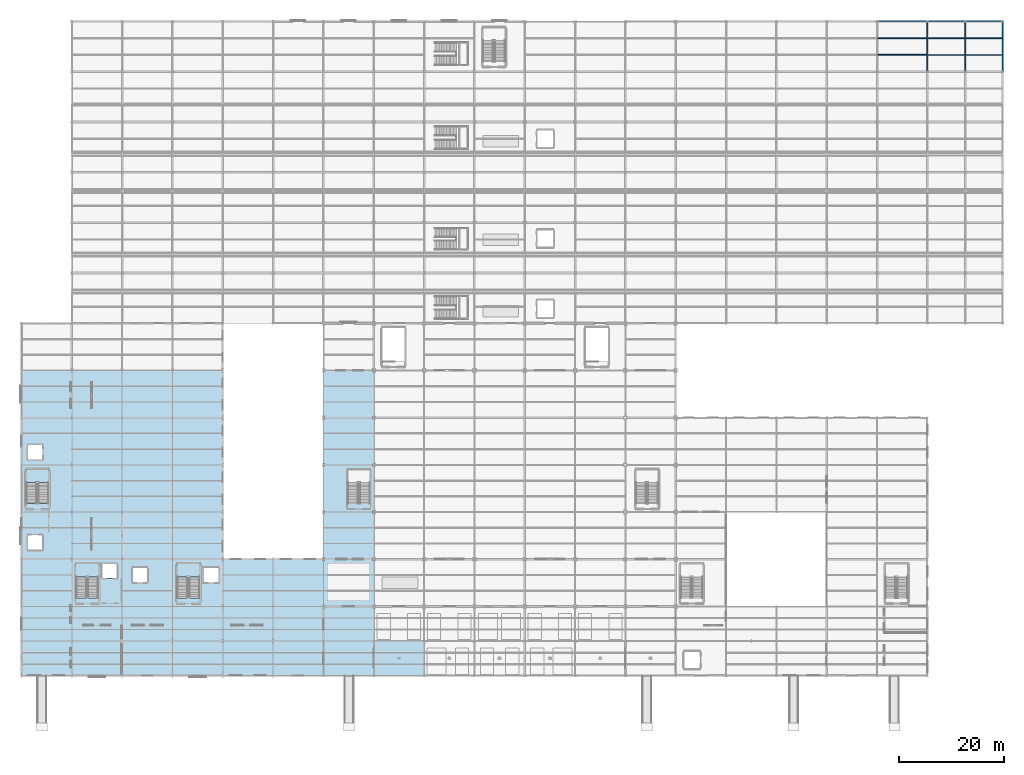
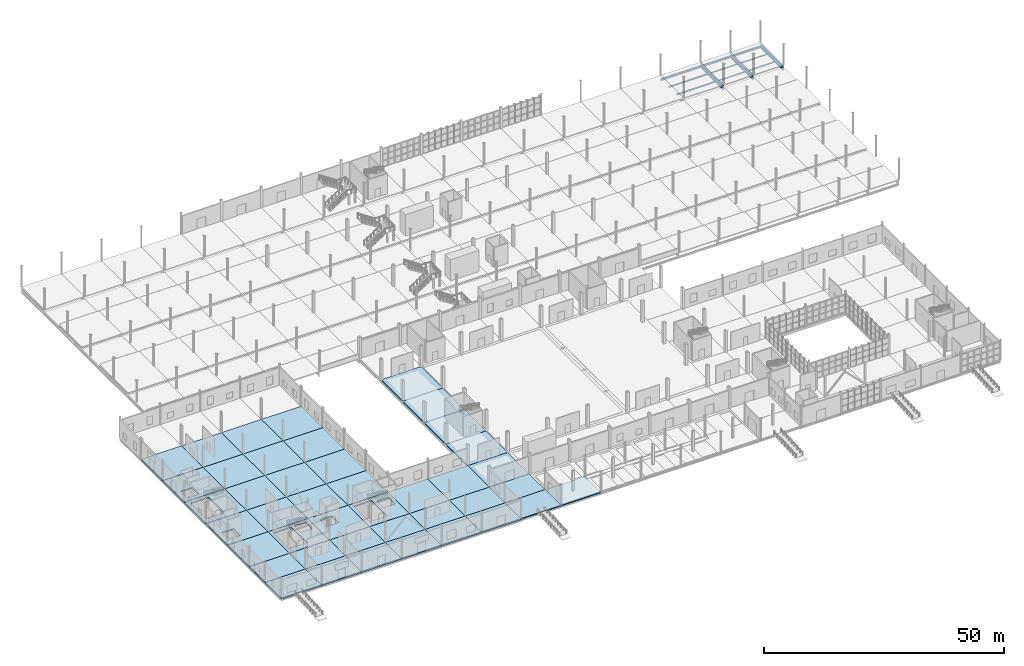
# One storey, part 47 of 85: 45 slabs, 15 beams, 3 elements without a shape of their own.
"""IFC4 building model written with IfcOpenShell, lengths in metres."""

from ifc_helpers import new_model, si_unit, direction, frame, origin, origin_2d, place, context, subcontext, project, spatial, polyline, i_section, outline, extrude, material, layer, layer_set, material_profile, profile_set, type_object, element, aggregate, save


model = new_model("IFC4")

# Units and contexts
model_context = context("Model", 3, precision=1e-05, world=origin(), true_north=direction((0.0, 1.0)))
body_context = subcontext(model_context, "Body", "Model", "MODEL_VIEW")
ifc_project = project(units=[si_unit("LENGTHUNIT", "METRE"), si_unit("AREAUNIT", "SQUARE_METRE"), si_unit("VOLUMEUNIT", "CUBIC_METRE"), si_unit("PLANEANGLEUNIT", "RADIAN"), si_unit("MASSUNIT", "GRAM", prefix="KILO")], contexts=[model_context])

# Site, building, storey
site_placement = place(None, origin())
site = spatial("IfcSite", under=ifc_project, at=site_placement, CompositionType="ELEMENT")
building_placement = place(site_placement, origin())
building = spatial("IfcBuilding", under=site, at=building_placement, Name="Zarnetskaya Central Station", CompositionType="ELEMENT")
storey_placement = place(building_placement, origin())
storey = spatial("IfcBuildingStorey", under=building, at=storey_placement, Name="L00", CompositionType="ELEMENT", Elevation=0.0)

# Beams
ifc_material_1 = material(Name="Steel S355", Category="steel")
ifc_material_profile_1 = material_profile(ifc_material_1, i_section(OverallWidth=0.14990234375, OverallDepth=0.300048828125, WebThickness=0.007080078125, FlangeThickness=0.0107421875, FilletRadius=0.014892578125, at=origin_2d()), Name="IPE 300")
ifc_profile_set_1 = profile_set([ifc_material_profile_1], Name="Steel S355")
beam_type_1 = type_object("IfcBeamType", Name="BM-SEC-300", PredefinedType="BEAM", material=ifc_profile_set_1)
for number, where, z_axis, x_axis, name in (
    (1, (172.8798828125, 118.39990234375, -1.06005859375), (1.0, 0.0, 0.0), (0.0, 1.0, 0.0), "Secondary floor beam SEC-L00-Z91-UV-1415-1"),
    (2, (172.8798828125, 121.60009765625, -1.06005859375), (1.0, 0.0, 0.0), (0.0, 1.0, 0.0), "Secondary floor beam SEC-L00-Z91-UV-1415-2"),
    (3, (180.080078125, 118.39990234375, -1.06005859375), (1.0, 0.0, 0.0), (0.0, 1.0, 0.0), "Secondary floor beam SEC-L00-Z91-VW-1415-1"),
    (4, (180.080078125, 121.60009765625, -1.06005859375), (1.0, 0.0, 0.0), (0.0, 1.0, 0.0), "Secondary floor beam SEC-L00-Z91-VW-1415-2"),
):
    element("IfcBeam", number, at=place(storey_placement, frame(where, z_axis=z_axis, x_axis=x_axis)), inside=storey, type_object=beam_type_1, Name=name, PredefinedType="BEAM", context=body_context, shape_type="SweptSolid", body=[
        extrude(i_section(OverallWidth=0.14990234375, OverallDepth=0.300048828125, WebThickness=0.007080078125, FlangeThickness=0.0107421875, FilletRadius=0.014892578125, at=origin_2d()), origin(), (0.0, 0.0, 1.0), 7.0400390625),
    ])
ifc_material_profile_2 = material_profile(ifc_material_1, i_section(OverallWidth=0.159912109375, OverallDepth=0.330078125, WebThickness=0.007568359375, FlangeThickness=0.011474609375, FilletRadius=0.01806640625, at=origin_2d()), Name="IPE 330")
ifc_profile_set_2 = profile_set([ifc_material_profile_2], Name="Steel S355")
beam_type_2 = type_object("IfcBeamType", Name="BM-SEC-330", PredefinedType="BEAM", material=ifc_profile_set_2)
for number, where, z_axis, x_axis, name in (
    (5, (172.800048828125, 115.199951171875, -0.455078125), (0.0, 1.0, 0.0), (-1.0, 0.0, 0.0), "Platform transverse bearer GY-PLT-P4-U"),
    (6, (180.0, 115.199951171875, -0.455078125), (0.0, 1.0, 0.0), (-1.0, 0.0, 0.0), "Platform transverse bearer GY-PLT-P4-V"),
    (7, (187.199951171875, 115.199951171875, -0.455078125), (0.0, 1.0, 0.0), (-1.0, 0.0, 0.0), "Platform transverse bearer GY-PLT-P4-W"),
):
    element("IfcBeam", number, at=place(storey_placement, frame(where, z_axis=z_axis, x_axis=x_axis)), inside=storey, type_object=beam_type_2, Name=name, PredefinedType="BEAM", context=body_context, shape_type="SweptSolid", body=[
        extrude(i_section(OverallWidth=0.159912109375, OverallDepth=0.330078125, WebThickness=0.007568359375, FlangeThickness=0.011474609375, FilletRadius=0.01806640625, at=origin_2d()), origin(), (0.0, 0.0, 1.0), 9.60009765625),
    ])
ifc_material_profile_3 = material_profile(ifc_material_1, i_section(OverallWidth=0.169921875, OverallDepth=0.360107421875, WebThickness=0.008056640625, FlangeThickness=0.0126953125, FilletRadius=0.01806640625, at=origin_2d()), Name="IPE 360")
ifc_profile_set_3 = profile_set([ifc_material_profile_3], Name="Steel S355")
beam_type_3 = type_object("IfcBeamType", Name="BM-SEC-360", PredefinedType="BEAM", material=ifc_profile_set_3)
for number, where, z_axis, x_axis, name in (
    (8, (163.280029296875, 118.39990234375, -1.090087890625), (1.0, 0.0, 0.0), (0.0, 1.0, 0.0), "Secondary floor beam SEC-L00-Z91-TU-1415-1"),
    (9, (163.280029296875, 121.60009765625, -1.090087890625), (1.0, 0.0, 0.0), (0.0, 1.0, 0.0), "Secondary floor beam SEC-L00-Z91-TU-1415-2"),
):
    element("IfcBeam", number, at=place(storey_placement, frame(where, z_axis=z_axis, x_axis=x_axis)), inside=storey, type_object=beam_type_3, Name=name, PredefinedType="BEAM", context=body_context, shape_type="SweptSolid", body=[
        extrude(i_section(OverallWidth=0.169921875, OverallDepth=0.360107421875, WebThickness=0.008056640625, FlangeThickness=0.0126953125, FilletRadius=0.01806640625, at=origin_2d()), origin(), (0.0, 0.0, 1.0), 9.43994140625),
    ])
ifc_material_profile_4 = material_profile(ifc_material_1, i_section(OverallWidth=0.300048828125, OverallDepth=0.449951171875, WebThickness=0.013916015625, FlangeThickness=0.02587890625, FilletRadius=0.027099609375, at=origin_2d()), Name="HEB 450")
ifc_profile_set_4 = profile_set([ifc_material_profile_4], Name="Steel S355")
beam_type_4 = type_object("IfcBeamType", Name="GD-SUB-450", PredefinedType="USERDEFINED", material=ifc_profile_set_4)
for number, where, z_axis, x_axis, name in (
    (10, (172.800048828125, 115.199951171875, -1.135009765625), (0.0, 1.0, 0.0), (-1.0, 0.0, 0.0), "Grid girder GY-L00-U-1415"),
    (11, (180.0, 115.199951171875, -1.135009765625), (0.0, 1.0, 0.0), (-1.0, 0.0, 0.0), "Grid girder GY-L00-V-1415"),
    (12, (187.199951171875, 115.199951171875, -1.135009765625), (0.0, 1.0, 0.0), (-1.0, 0.0, 0.0), "Grid girder GY-L00-W-1415"),
):
    element("IfcBeam", number, at=place(storey_placement, frame(where, z_axis=z_axis, x_axis=x_axis)), inside=storey, type_object=beam_type_4, Name=name, ObjectType="GIRDER", PredefinedType="USERDEFINED", context=body_context, shape_type="SweptSolid", body=[
        extrude(i_section(OverallWidth=0.300048828125, OverallDepth=0.449951171875, WebThickness=0.013916015625, FlangeThickness=0.02587890625, FilletRadius=0.027099609375, at=origin_2d()), origin(), (0.0, 0.0, 1.0), 9.60009765625),
    ])
ifc_material_profile_5 = material_profile(ifc_material_1, i_section(OverallWidth=0.300048828125, OverallDepth=0.5, WebThickness=0.014404296875, FlangeThickness=0.028076171875, FilletRadius=0.027099609375, at=origin_2d()), Name="HEB 500")
ifc_profile_set_5 = profile_set([ifc_material_profile_5], Name="Steel S355")
beam_type_5 = type_object("IfcBeamType", Name="GD-SUB-500", PredefinedType="USERDEFINED", material=ifc_profile_set_5)
beam_placement = place(storey_placement, frame((163.199951171875, 124.800048828125, -1.159912109375), z_axis=(1.0, 0.0, 0.0), x_axis=(0.0, 1.0, 0.0)))
element("IfcBeam", 13, at=beam_placement, inside=storey, type_object=beam_type_5, Name="Grid girder GX-L00-15-TU", ObjectType="GIRDER", PredefinedType="USERDEFINED", context=body_context, shape_type="SweptSolid", body=[
    extrude(i_section(OverallWidth=0.300048828125, OverallDepth=0.5, WebThickness=0.014404296875, FlangeThickness=0.028076171875, FilletRadius=0.027099609375, at=origin_2d()), origin(), (0.0, 0.0, 1.0), 9.60009765625),
])
for number, where, z_axis, x_axis, name in (
    (14, (172.800048828125, 124.800048828125, -1.159912109375), (1.0, 0.0, 0.0), (0.0, 1.0, 0.0), "Grid girder GX-L00-15-UV"),
    (15, (180.0, 124.800048828125, -1.159912109375), (1.0, 0.0, 0.0), (0.0, 1.0, 0.0), "Grid girder GX-L00-15-VW"),
):
    element("IfcBeam", number, at=place(storey_placement, frame(where, z_axis=z_axis, x_axis=x_axis)), inside=storey, type_object=beam_type_5, Name=name, ObjectType="GIRDER", PredefinedType="USERDEFINED", context=body_context, shape_type="SweptSolid", body=[
        extrude(i_section(OverallWidth=0.300048828125, OverallDepth=0.5, WebThickness=0.014404296875, FlangeThickness=0.028076171875, FilletRadius=0.027099609375, at=origin_2d()), origin(), (0.0, 0.0, 1.0), 7.199951171875),
    ])

# Slabs
ifc_material_2 = material(Name="Concrete C30/37", Category="concrete")
ifc_layer_1 = layer(ifc_material_2, 0.320068359375, Name="Concrete C30/37", Category="concrete")
ifc_layer_set_1 = layer_set([ifc_layer_1], Name="Concrete C30/37")
slab_type_1 = type_object("IfcSlabType", Name="SLAB-L00-320", PredefinedType="FLOOR", material=ifc_layer_set_1)
slab_1_placement = place(storey_placement, frame((0.0, 0.0, -0.320068359375)))
element("IfcSlab", 16, at=slab_1_placement, inside=storey, type_object=slab_type_1, Name="L00 slab A-B/1-2", PredefinedType="FLOOR", context=body_context, shape_type="SweptSolid", body=[
    extrude(outline(polyline([(0.0, 0.0), (9.60009765625, 0.0), (9.60009765625, 6.60009765625), (0.0, 6.60009765625), (0.0, 0.0)])), origin(), (0.0, 0.0, 1.0), 0.320068359375),
])
slab_2_placement = place(storey_placement, frame((0.0, 0.0, -0.320068359375)))
element("IfcSlab", 17, at=slab_2_placement, inside=storey, type_object=slab_type_1, Name="L00 slab A-B/2-3", PredefinedType="FLOOR", context=body_context, shape_type="SweptSolid", body=[
    extrude(outline(polyline([(0.0, 6.60009765625), (9.60009765625, 6.60009765625), (9.60009765625, 13.199951171875), (0.0, 13.199951171875), (0.0, 6.60009765625)])), origin(), (0.0, 0.0, 1.0), 0.320068359375),
])
slab_3_placement = place(storey_placement, frame((0.0, 0.0, -0.320068359375)))
element("IfcSlab", 18, at=slab_3_placement, inside=storey, type_object=slab_type_1, Name="L00 slab A-B/3-4", PredefinedType="FLOOR", context=body_context, shape_type="SweptSolid", body=[
    extrude(outline(polyline([(0.0, 13.199951171875), (9.60009765625, 13.199951171875), (9.60009765625, 22.199951171875), (0.0, 22.199951171875), (0.0, 13.199951171875)])), origin(), (0.0, 0.0, 1.0), 0.320068359375),
])
slab_4_placement = place(storey_placement, frame((0.0, 0.0, -0.320068359375)))
element("IfcSlab", 19, at=slab_4_placement, inside=storey, type_object=slab_type_1, Name="L00 slab A-B/4-5", PredefinedType="FLOOR", context=body_context, shape_type="SweptSolid", body=[
    extrude(outline(polyline([(0.0, 22.199951171875), (9.60009765625, 22.199951171875), (9.60009765625, 31.199951171875), (0.0, 31.199951171875), (0.0, 22.199951171875)]), holes=[polyline([(1.199951171875, 24.0), (4.0, 24.0), (4.0, 26.800048828125), (1.199951171875, 26.800048828125), (1.199951171875, 24.0)])]), origin(), (0.0, 0.0, 1.0), 0.320068359375),
])
slab_5_placement = place(storey_placement, frame((0.0, 0.0, -0.320068359375)))
element("IfcSlab", 20, at=slab_5_placement, inside=storey, type_object=slab_type_1, Name="L00 slab A-B/5-6", PredefinedType="FLOOR", context=body_context, shape_type="SweptSolid", body=[
    extrude(outline(polyline([(0.0, 31.199951171875), (9.60009765625, 31.199951171875), (9.60009765625, 40.199951171875), (0.0, 40.199951171875), (0.0, 31.199951171875)]), holes=[polyline([(0.89990234375, 32.804931640625), (5.199951171875, 32.804931640625), (5.199951171875, 39.300048828125), (0.89990234375, 39.300048828125), (0.89990234375, 32.804931640625)])]), origin(), (0.0, 0.0, 1.0), 0.320068359375),
])
slab_6_placement = place(storey_placement, frame((0.0, 0.0, -0.320068359375)))
element("IfcSlab", 21, at=slab_6_placement, inside=storey, type_object=slab_type_1, Name="L00 slab A-B/6-7", PredefinedType="FLOOR", context=body_context, shape_type="SweptSolid", body=[
    extrude(outline(polyline([(0.0, 40.199951171875), (9.60009765625, 40.199951171875), (9.60009765625, 49.199951171875), (0.0, 49.199951171875), (0.0, 40.199951171875)]), holes=[polyline([(1.199951171875, 41.199951171875), (4.0, 41.199951171875), (4.0, 44.0), (1.199951171875, 44.0), (1.199951171875, 41.199951171875)])]), origin(), (0.0, 0.0, 1.0), 0.320068359375),
])
slab_7_placement = place(storey_placement, frame((0.0, 0.0, -0.320068359375)))
element("IfcSlab", 22, at=slab_7_placement, inside=storey, type_object=slab_type_1, Name="L00 slab A-B/7-8", PredefinedType="FLOOR", context=body_context, shape_type="SweptSolid", body=[
    extrude(outline(polyline([(0.0, 49.199951171875), (9.60009765625, 49.199951171875), (9.60009765625, 58.199951171875), (0.0, 58.199951171875), (0.0, 49.199951171875)])), origin(), (0.0, 0.0, 1.0), 0.320068359375),
])
slab_8_placement = place(storey_placement, frame((0.0, 0.0, -0.320068359375)))
element("IfcSlab", 23, at=slab_8_placement, inside=storey, type_object=slab_type_1, Name="L00 slab B-C/1-2", PredefinedType="FLOOR", context=body_context, shape_type="SweptSolid", body=[
    extrude(outline(polyline([(9.60009765625, 0.0), (19.199951171875, 0.0), (19.199951171875, 6.60009765625), (9.60009765625, 6.60009765625), (9.60009765625, 0.0)])), origin(), (0.0, 0.0, 1.0), 0.320068359375),
])
slab_9_placement = place(storey_placement, frame((0.0, 0.0, -0.320068359375)))
element("IfcSlab", 24, at=slab_9_placement, inside=storey, type_object=slab_type_1, Name="L00 slab B-C/2-3", PredefinedType="FLOOR", context=body_context, shape_type="SweptSolid", body=[
    extrude(outline(polyline([(9.60009765625, 6.60009765625), (19.199951171875, 6.60009765625), (19.199951171875, 13.199951171875), (9.60009765625, 13.199951171875), (9.60009765625, 6.60009765625)])), origin(), (0.0, 0.0, 1.0), 0.320068359375),
])
slab_10_placement = place(storey_placement, frame((0.0, 0.0, -0.320068359375)))
element("IfcSlab", 25, at=slab_10_placement, inside=storey, type_object=slab_type_1, Name="L00 slab B-C/3-4", PredefinedType="FLOOR", context=body_context, shape_type="SweptSolid", body=[
    extrude(outline(polyline([(9.60009765625, 13.199951171875), (19.199951171875, 13.199951171875), (19.199951171875, 22.199951171875), (9.60009765625, 22.199951171875), (9.60009765625, 13.199951171875)]), holes=[polyline([(10.39990234375, 14.804931640625), (14.699951171875, 14.804931640625), (14.699951171875, 21.300048828125), (10.39990234375, 21.300048828125), (10.39990234375, 14.804931640625)]), polyline([(15.39990234375, 18.60009765625), (18.199951171875, 18.60009765625), (18.199951171875, 21.300048828125), (15.39990234375, 21.300048828125), (15.39990234375, 18.60009765625)])]), origin(), (0.0, 0.0, 1.0), 0.320068359375),
])
slab_11_placement = place(storey_placement, frame((0.0, 0.0, -0.320068359375)))
element("IfcSlab", 26, at=slab_11_placement, inside=storey, type_object=slab_type_1, Name="L00 slab B-C/4-5", PredefinedType="FLOOR", context=body_context, shape_type="SweptSolid", body=[
    extrude(outline(polyline([(9.60009765625, 22.199951171875), (19.199951171875, 22.199951171875), (19.199951171875, 31.199951171875), (9.60009765625, 31.199951171875), (9.60009765625, 22.199951171875)])), origin(), (0.0, 0.0, 1.0), 0.320068359375),
])
slab_12_placement = place(storey_placement, frame((0.0, 0.0, -0.320068359375)))
element("IfcSlab", 27, at=slab_12_placement, inside=storey, type_object=slab_type_1, Name="L00 slab B-C/5-6", PredefinedType="FLOOR", context=body_context, shape_type="SweptSolid", body=[
    extrude(outline(polyline([(9.60009765625, 31.199951171875), (19.199951171875, 31.199951171875), (19.199951171875, 40.199951171875), (9.60009765625, 40.199951171875), (9.60009765625, 31.199951171875)])), origin(), (0.0, 0.0, 1.0), 0.320068359375),
])
slab_13_placement = place(storey_placement, frame((0.0, 0.0, -0.320068359375)))
element("IfcSlab", 28, at=slab_13_placement, inside=storey, type_object=slab_type_1, Name="L00 slab B-C/6-7", PredefinedType="FLOOR", context=body_context, shape_type="SweptSolid", body=[
    extrude(outline(polyline([(9.60009765625, 40.199951171875), (19.199951171875, 40.199951171875), (19.199951171875, 49.199951171875), (9.60009765625, 49.199951171875), (9.60009765625, 40.199951171875)])), origin(), (0.0, 0.0, 1.0), 0.320068359375),
])
slab_14_placement = place(storey_placement, frame((0.0, 0.0, -0.320068359375)))
element("IfcSlab", 29, at=slab_14_placement, inside=storey, type_object=slab_type_1, Name="L00 slab B-C/7-8", PredefinedType="FLOOR", context=body_context, shape_type="SweptSolid", body=[
    extrude(outline(polyline([(9.60009765625, 49.199951171875), (19.199951171875, 49.199951171875), (19.199951171875, 58.199951171875), (9.60009765625, 58.199951171875), (9.60009765625, 49.199951171875)])), origin(), (0.0, 0.0, 1.0), 0.320068359375),
])
slab_15_placement = place(storey_placement, frame((0.0, 0.0, -0.320068359375)))
element("IfcSlab", 30, at=slab_15_placement, inside=storey, type_object=slab_type_1, Name="L00 slab C-D/1-2", PredefinedType="FLOOR", context=body_context, shape_type="SweptSolid", body=[
    extrude(outline(polyline([(19.199951171875, 0.0), (28.800048828125, 0.0), (28.800048828125, 6.60009765625), (19.199951171875, 6.60009765625), (19.199951171875, 0.0)])), origin(), (0.0, 0.0, 1.0), 0.320068359375),
])
slab_16_placement = place(storey_placement, frame((0.0, 0.0, -0.320068359375)))
element("IfcSlab", 31, at=slab_16_placement, inside=storey, type_object=slab_type_1, Name="L00 slab C-D/2-3", PredefinedType="FLOOR", context=body_context, shape_type="SweptSolid", body=[
    extrude(outline(polyline([(19.199951171875, 6.60009765625), (28.800048828125, 6.60009765625), (28.800048828125, 13.199951171875), (19.199951171875, 13.199951171875), (19.199951171875, 6.60009765625)])), origin(), (0.0, 0.0, 1.0), 0.320068359375),
])
slab_17_placement = place(storey_placement, frame((0.0, 0.0, -0.320068359375)))
element("IfcSlab", 32, at=slab_17_placement, inside=storey, type_object=slab_type_1, Name="L00 slab C-D/3-4", PredefinedType="FLOOR", context=body_context, shape_type="SweptSolid", body=[
    extrude(outline(polyline([(19.199951171875, 13.199951171875), (28.800048828125, 13.199951171875), (28.800048828125, 22.199951171875), (19.199951171875, 22.199951171875), (19.199951171875, 13.199951171875)]), holes=[polyline([(21.199951171875, 17.800048828125), (24.0, 17.800048828125), (24.0, 20.60009765625), (21.199951171875, 20.60009765625), (21.199951171875, 17.800048828125)])]), origin(), (0.0, 0.0, 1.0), 0.320068359375),
])
slab_18_placement = place(storey_placement, frame((0.0, 0.0, -0.320068359375)))
element("IfcSlab", 33, at=slab_18_placement, inside=storey, type_object=slab_type_1, Name="L00 slab C-D/4-5", PredefinedType="FLOOR", context=body_context, shape_type="SweptSolid", body=[
    extrude(outline(polyline([(19.199951171875, 22.199951171875), (28.800048828125, 22.199951171875), (28.800048828125, 31.199951171875), (19.199951171875, 31.199951171875), (19.199951171875, 22.199951171875)])), origin(), (0.0, 0.0, 1.0), 0.320068359375),
])
slab_19_placement = place(storey_placement, frame((0.0, 0.0, -0.320068359375)))
element("IfcSlab", 34, at=slab_19_placement, inside=storey, type_object=slab_type_1, Name="L00 slab C-D/5-6", PredefinedType="FLOOR", context=body_context, shape_type="SweptSolid", body=[
    extrude(outline(polyline([(19.199951171875, 31.199951171875), (28.800048828125, 31.199951171875), (28.800048828125, 40.199951171875), (19.199951171875, 40.199951171875), (19.199951171875, 31.199951171875)])), origin(), (0.0, 0.0, 1.0), 0.320068359375),
])
slab_20_placement = place(storey_placement, frame((0.0, 0.0, -0.320068359375)))
element("IfcSlab", 35, at=slab_20_placement, inside=storey, type_object=slab_type_1, Name="L00 slab C-D/6-7", PredefinedType="FLOOR", context=body_context, shape_type="SweptSolid", body=[
    extrude(outline(polyline([(19.199951171875, 40.199951171875), (28.800048828125, 40.199951171875), (28.800048828125, 49.199951171875), (19.199951171875, 49.199951171875), (19.199951171875, 40.199951171875)])), origin(), (0.0, 0.0, 1.0), 0.320068359375),
])
slab_21_placement = place(storey_placement, frame((0.0, 0.0, -0.320068359375)))
element("IfcSlab", 36, at=slab_21_placement, inside=storey, type_object=slab_type_1, Name="L00 slab C-D/7-8", PredefinedType="FLOOR", context=body_context, shape_type="SweptSolid", body=[
    extrude(outline(polyline([(19.199951171875, 49.199951171875), (28.800048828125, 49.199951171875), (28.800048828125, 58.199951171875), (19.199951171875, 58.199951171875), (19.199951171875, 49.199951171875)])), origin(), (0.0, 0.0, 1.0), 0.320068359375),
])
slab_22_placement = place(storey_placement, frame((0.0, 0.0, -0.320068359375)))
element("IfcSlab", 37, at=slab_22_placement, inside=storey, type_object=slab_type_1, Name="L00 slab D-E/1-2", PredefinedType="FLOOR", context=body_context, shape_type="SweptSolid", body=[
    extrude(outline(polyline([(28.800048828125, 0.0), (38.39990234375, 0.0), (38.39990234375, 6.60009765625), (28.800048828125, 6.60009765625), (28.800048828125, 0.0)])), origin(), (0.0, 0.0, 1.0), 0.320068359375),
])
slab_23_placement = place(storey_placement, frame((0.0, 0.0, -0.320068359375)))
element("IfcSlab", 38, at=slab_23_placement, inside=storey, type_object=slab_type_1, Name="L00 slab D-E/2-3", PredefinedType="FLOOR", context=body_context, shape_type="SweptSolid", body=[
    extrude(outline(polyline([(28.800048828125, 6.60009765625), (38.39990234375, 6.60009765625), (38.39990234375, 13.199951171875), (28.800048828125, 13.199951171875), (28.800048828125, 6.60009765625)])), origin(), (0.0, 0.0, 1.0), 0.320068359375),
])
slab_24_placement = place(storey_placement, frame((0.0, 0.0, -0.320068359375)))
element("IfcSlab", 39, at=slab_24_placement, inside=storey, type_object=slab_type_1, Name="L00 slab D-E/3-4", PredefinedType="FLOOR", context=body_context, shape_type="SweptSolid", body=[
    extrude(outline(polyline([(28.800048828125, 13.199951171875), (38.39990234375, 13.199951171875), (38.39990234375, 22.199951171875), (28.800048828125, 22.199951171875), (28.800048828125, 13.199951171875)]), holes=[polyline([(29.699951171875, 14.804931640625), (34.0, 14.804931640625), (34.0, 21.300048828125), (29.699951171875, 21.300048828125), (29.699951171875, 14.804931640625)]), polyline([(34.800048828125, 17.800048828125), (37.60009765625, 17.800048828125), (37.60009765625, 20.60009765625), (34.800048828125, 20.60009765625), (34.800048828125, 17.800048828125)])]), origin(), (0.0, 0.0, 1.0), 0.320068359375),
])
slab_25_placement = place(storey_placement, frame((0.0, 0.0, -0.320068359375)))
element("IfcSlab", 40, at=slab_25_placement, inside=storey, type_object=slab_type_1, Name="L00 slab D-E/4-5", PredefinedType="FLOOR", context=body_context, shape_type="SweptSolid", body=[
    extrude(outline(polyline([(28.800048828125, 22.199951171875), (38.39990234375, 22.199951171875), (38.39990234375, 31.199951171875), (28.800048828125, 31.199951171875), (28.800048828125, 22.199951171875)])), origin(), (0.0, 0.0, 1.0), 0.320068359375),
])
slab_26_placement = place(storey_placement, frame((0.0, 0.0, -0.320068359375)))
element("IfcSlab", 41, at=slab_26_placement, inside=storey, type_object=slab_type_1, Name="L00 slab D-E/5-6", PredefinedType="FLOOR", context=body_context, shape_type="SweptSolid", body=[
    extrude(outline(polyline([(28.800048828125, 31.199951171875), (38.39990234375, 31.199951171875), (38.39990234375, 40.199951171875), (28.800048828125, 40.199951171875), (28.800048828125, 31.199951171875)])), origin(), (0.0, 0.0, 1.0), 0.320068359375),
])
slab_27_placement = place(storey_placement, frame((0.0, 0.0, -0.320068359375)))
element("IfcSlab", 42, at=slab_27_placement, inside=storey, type_object=slab_type_1, Name="L00 slab D-E/6-7", PredefinedType="FLOOR", context=body_context, shape_type="SweptSolid", body=[
    extrude(outline(polyline([(28.800048828125, 40.199951171875), (38.39990234375, 40.199951171875), (38.39990234375, 49.199951171875), (28.800048828125, 49.199951171875), (28.800048828125, 40.199951171875)])), origin(), (0.0, 0.0, 1.0), 0.320068359375),
])
slab_28_placement = place(storey_placement, frame((0.0, 0.0, -0.320068359375)))
element("IfcSlab", 43, at=slab_28_placement, inside=storey, type_object=slab_type_1, Name="L00 slab D-E/7-8", PredefinedType="FLOOR", context=body_context, shape_type="SweptSolid", body=[
    extrude(outline(polyline([(28.800048828125, 49.199951171875), (38.39990234375, 49.199951171875), (38.39990234375, 58.199951171875), (28.800048828125, 58.199951171875), (28.800048828125, 49.199951171875)])), origin(), (0.0, 0.0, 1.0), 0.320068359375),
])
slab_29_placement = place(storey_placement, frame((0.0, 0.0, -0.320068359375)))
element("IfcSlab", 44, at=slab_29_placement, inside=storey, type_object=slab_type_1, Name="L00 slab E-F/1-2", PredefinedType="FLOOR", context=body_context, shape_type="SweptSolid", body=[
    extrude(outline(polyline([(38.39990234375, 0.0), (48.0, 0.0), (48.0, 6.60009765625), (38.39990234375, 6.60009765625), (38.39990234375, 0.0)])), origin(), (0.0, 0.0, 1.0), 0.320068359375),
])
slab_30_placement = place(storey_placement, frame((0.0, 0.0, -0.320068359375)))
element("IfcSlab", 45, at=slab_30_placement, inside=storey, type_object=slab_type_1, Name="L00 slab E-F/2-3", PredefinedType="FLOOR", context=body_context, shape_type="SweptSolid", body=[
    extrude(outline(polyline([(38.39990234375, 6.60009765625), (48.0, 6.60009765625), (48.0, 13.199951171875), (38.39990234375, 13.199951171875), (38.39990234375, 6.60009765625)])), origin(), (0.0, 0.0, 1.0), 0.320068359375),
])
slab_31_placement = place(storey_placement, frame((0.0, 0.0, -0.320068359375)))
element("IfcSlab", 46, at=slab_31_placement, inside=storey, type_object=slab_type_1, Name="L00 slab E-F/3-4", PredefinedType="FLOOR", context=body_context, shape_type="SweptSolid", body=[
    extrude(outline(polyline([(38.39990234375, 13.199951171875), (48.0, 13.199951171875), (48.0, 22.199951171875), (38.39990234375, 22.199951171875), (38.39990234375, 13.199951171875)])), origin(), (0.0, 0.0, 1.0), 0.320068359375),
])
slab_32_placement = place(storey_placement, frame((0.0, 0.0, -0.320068359375)))
element("IfcSlab", 47, at=slab_32_placement, inside=storey, type_object=slab_type_1, Name="L00 slab F-G/1-2", PredefinedType="FLOOR", context=body_context, shape_type="SweptSolid", body=[
    extrude(outline(polyline([(48.0, 0.0), (57.60009765625, 0.0), (57.60009765625, 6.60009765625), (48.0, 6.60009765625), (48.0, 0.0)])), origin(), (0.0, 0.0, 1.0), 0.320068359375),
])
slab_33_placement = place(storey_placement, frame((0.0, 0.0, -0.320068359375)))
element("IfcSlab", 48, at=slab_33_placement, inside=storey, type_object=slab_type_1, Name="L00 slab F-G/2-3", PredefinedType="FLOOR", context=body_context, shape_type="SweptSolid", body=[
    extrude(outline(polyline([(48.0, 6.60009765625), (57.60009765625, 6.60009765625), (57.60009765625, 13.199951171875), (48.0, 13.199951171875), (48.0, 6.60009765625)])), origin(), (0.0, 0.0, 1.0), 0.320068359375),
])
slab_34_placement = place(storey_placement, frame((0.0, 0.0, -0.320068359375)))
element("IfcSlab", 49, at=slab_34_placement, inside=storey, type_object=slab_type_1, Name="L00 slab F-G/3-4", PredefinedType="FLOOR", context=body_context, shape_type="SweptSolid", body=[
    extrude(outline(polyline([(48.0, 13.199951171875), (57.60009765625, 13.199951171875), (57.60009765625, 22.199951171875), (48.0, 22.199951171875), (48.0, 13.199951171875)])), origin(), (0.0, 0.0, 1.0), 0.320068359375),
])
slab_35_placement = place(storey_placement, frame((0.0, 0.0, -0.320068359375)))
element("IfcSlab", 50, at=slab_35_placement, inside=storey, type_object=slab_type_1, Name="L00 slab G-H/3-4", PredefinedType="FLOOR", context=body_context, shape_type="SweptSolid", body=[
    extrude(outline(polyline([(57.89990234375, 13.199951171875), (66.89990234375, 13.199951171875), (67.199951171875, 13.5), (67.199951171875, 21.89990234375), (66.89990234375, 22.199951171875), (57.89990234375, 22.199951171875), (57.60009765625, 21.89990234375), (57.60009765625, 13.5), (57.89990234375, 13.199951171875)])), origin(), (0.0, 0.0, 1.0), 0.320068359375),
])
slab_36_placement = place(storey_placement, frame((0.0, 0.0, -0.320068359375)))
element("IfcSlab", 51, at=slab_36_placement, inside=storey, type_object=slab_type_1, Name="L00 slab G-H/4-5", PredefinedType="FLOOR", context=body_context, shape_type="SweptSolid", body=[
    extrude(outline(polyline([(57.89990234375, 22.199951171875), (66.89990234375, 22.199951171875), (67.199951171875, 22.5), (67.199951171875, 30.89990234375), (66.89990234375, 31.199951171875), (57.89990234375, 31.199951171875), (57.60009765625, 30.89990234375), (57.60009765625, 22.5), (57.89990234375, 22.199951171875)])), origin(), (0.0, 0.0, 1.0), 0.320068359375),
])
slab_37_placement = place(storey_placement, frame((0.0, 0.0, -0.320068359375)))
element("IfcSlab", 52, at=slab_37_placement, inside=storey, type_object=slab_type_1, Name="L00 slab G-H/5-6", PredefinedType="FLOOR", context=body_context, shape_type="SweptSolid", body=[
    extrude(outline(polyline([(57.89990234375, 31.199951171875), (66.89990234375, 31.199951171875), (67.199951171875, 31.5), (67.199951171875, 39.89990234375), (66.89990234375, 40.199951171875), (57.89990234375, 40.199951171875), (57.60009765625, 39.89990234375), (57.60009765625, 31.5), (57.89990234375, 31.199951171875)])), origin(), (0.0, 0.0, 1.0), 0.320068359375),
])
slab_38_placement = place(storey_placement, frame((0.0, 0.0, -0.320068359375)))
element("IfcSlab", 53, at=slab_38_placement, inside=storey, type_object=slab_type_1, Name="L00 slab G-H/6-7", PredefinedType="FLOOR", context=body_context, shape_type="SweptSolid", body=[
    extrude(outline(polyline([(57.89990234375, 40.199951171875), (66.89990234375, 40.199951171875), (67.199951171875, 40.5), (67.199951171875, 48.89990234375), (66.89990234375, 49.199951171875), (57.89990234375, 49.199951171875), (57.60009765625, 48.89990234375), (57.60009765625, 40.5), (57.89990234375, 40.199951171875)])), origin(), (0.0, 0.0, 1.0), 0.320068359375),
])
slab_39_placement = place(storey_placement, frame((0.0, 0.0, -0.320068359375)))
element("IfcSlab", 54, at=slab_39_placement, inside=storey, type_object=slab_type_1, Name="L00 slab G-H/7-8", PredefinedType="FLOOR", context=body_context, shape_type="SweptSolid", body=[
    extrude(outline(polyline([(57.89990234375, 49.199951171875), (66.89990234375, 49.199951171875), (67.199951171875, 49.5), (67.199951171875, 57.89990234375), (66.89990234375, 58.199951171875), (57.89990234375, 58.199951171875), (57.60009765625, 57.89990234375), (57.60009765625, 49.5), (57.89990234375, 49.199951171875)])), origin(), (0.0, 0.0, 1.0), 0.320068359375),
])

# Stair, slab
stair_type_1 = type_object("IfcStairType", Name="STAIR-ASSY-01", PredefinedType="HALF_TURN_STAIR", material=ifc_material_2)
stair_1_placement = place(storey_placement, origin())
stair_1 = element("IfcStair", 55, at=stair_1_placement, inside=storey, type_object=stair_type_1, Name="Exit Stair ST-C1 L00", PredefinedType="HALF_TURN_STAIR")
ifc_layer_2 = layer(ifc_material_2, 0.18505859375, Name="Concrete C30/37", Category="concrete")
ifc_layer_set_2 = layer_set([ifc_layer_2], Name="Concrete C30/37")
slab_type_2 = type_object("IfcSlabType", Name="SLAB-STAIR-LND", PredefinedType="LANDING", material=ifc_layer_set_2)
slab_40_placement = place(storey_placement, frame((0.0, 0.0, 2.514892578125)))
slab_40 = element("IfcSlab", 56, at=slab_40_placement, type_object=slab_type_2, Name="ST-03 landing 1", PredefinedType="LANDING", context=body_context, shape_type="SweptSolid", body=[
    extrude(outline(polyline([(10.320068359375, 18.844970703125), (14.780029296875, 18.844970703125), (14.780029296875, 21.3798828125), (10.320068359375, 21.3798828125), (10.320068359375, 18.844970703125)])), origin(), (0.0, 0.0, 1.0), 0.18505859375),
])
aggregate(stair_1, [slab_40])

stair_type_2 = type_object("IfcStairType", Name="STAIR-ASSY-02", PredefinedType="HALF_TURN_STAIR", material=ifc_material_2)
stair_2_placement = place(storey_placement, origin())
stair_2 = element("IfcStair", 57, at=stair_2_placement, inside=storey, type_object=stair_type_2, Name="Exit Stair ST-C2 L00", PredefinedType="HALF_TURN_STAIR")
slab_41_placement = place(storey_placement, frame((0.0, 0.0, 2.514892578125)))
slab_41 = element("IfcSlab", 58, at=slab_41_placement, type_object=slab_type_2, Name="ST-07 landing 1", PredefinedType="LANDING", context=body_context, shape_type="SweptSolid", body=[
    extrude(outline(polyline([(0.820068359375, 36.844970703125), (5.280029296875, 36.844970703125), (5.280029296875, 39.3798828125), (0.820068359375, 39.3798828125), (0.820068359375, 36.844970703125)])), origin(), (0.0, 0.0, 1.0), 0.18505859375),
])
aggregate(stair_2, [slab_41])

stair_type_3 = type_object("IfcStairType", Name="STAIR-ASSY-03", PredefinedType="HALF_TURN_STAIR", material=ifc_material_2)
stair_3_placement = place(storey_placement, origin())
stair_3 = element("IfcStair", 59, at=stair_3_placement, inside=storey, type_object=stair_type_3, Name="Exit Stair ST-C3 L00", PredefinedType="HALF_TURN_STAIR")
slab_42_placement = place(storey_placement, frame((0.0, 0.0, 2.514892578125)))
slab_42 = element("IfcSlab", 60, at=slab_42_placement, type_object=slab_type_2, Name="ST-04 landing 1", PredefinedType="LANDING", context=body_context, shape_type="SweptSolid", body=[
    extrude(outline(polyline([(29.6201171875, 18.844970703125), (34.080078125, 18.844970703125), (34.080078125, 21.3798828125), (29.6201171875, 21.3798828125), (29.6201171875, 18.844970703125)])), origin(), (0.0, 0.0, 1.0), 0.18505859375),
])
aggregate(stair_3, [slab_42])

# Slabs
ifc_layer_3 = layer(ifc_material_2, 0.219970703125, Name="Concrete C30/37", Category="concrete")
ifc_layer_set_3 = layer_set([ifc_layer_3], Name="Concrete C30/37")
slab_type_3 = type_object("IfcSlabType", Name="SLAB-TER-220", PredefinedType="FLOOR", material=ifc_layer_set_3)
slab_43_placement = place(storey_placement, frame((0.0, 0.0, -0.219970703125)))
element("IfcSlab", 61, at=slab_43_placement, inside=storey, type_object=slab_type_3, Name="L00 slab G-H/1-2", PredefinedType="FLOOR", context=body_context, shape_type="SweptSolid", body=[
    extrude(outline(polyline([(57.60009765625, 0.0), (67.199951171875, 0.0), (67.199951171875, 6.60009765625), (57.60009765625, 6.60009765625), (57.60009765625, 0.0)])), origin(), (0.0, 0.0, 1.0), 0.219970703125),
])
slab_44_placement = place(storey_placement, frame((0.0, 0.0, -0.219970703125)))
element("IfcSlab", 62, at=slab_44_placement, inside=storey, type_object=slab_type_3, Name="L00 slab G-H/2-3", PredefinedType="FLOOR", context=body_context, shape_type="SweptSolid", body=[
    extrude(outline(polyline([(57.60009765625, 6.60009765625), (67.199951171875, 6.60009765625), (67.199951171875, 13.199951171875), (57.60009765625, 13.199951171875), (57.60009765625, 6.60009765625)])), origin(), (0.0, 0.0, 1.0), 0.219970703125),
])
slab_45_placement = place(storey_placement, frame((0.0, 0.0, -0.219970703125)))
element("IfcSlab", 63, at=slab_45_placement, inside=storey, type_object=slab_type_3, Name="L00 slab H-J/1-2", PredefinedType="FLOOR", context=body_context, shape_type="SweptSolid", body=[
    extrude(outline(polyline([(67.199951171875, 0.0), (76.800048828125, 0.0), (76.800048828125, 6.60009765625), (67.199951171875, 6.60009765625), (67.199951171875, 0.0)])), origin(), (0.0, 0.0, 1.0), 0.219970703125),
])

save(model, "model.ifc")
